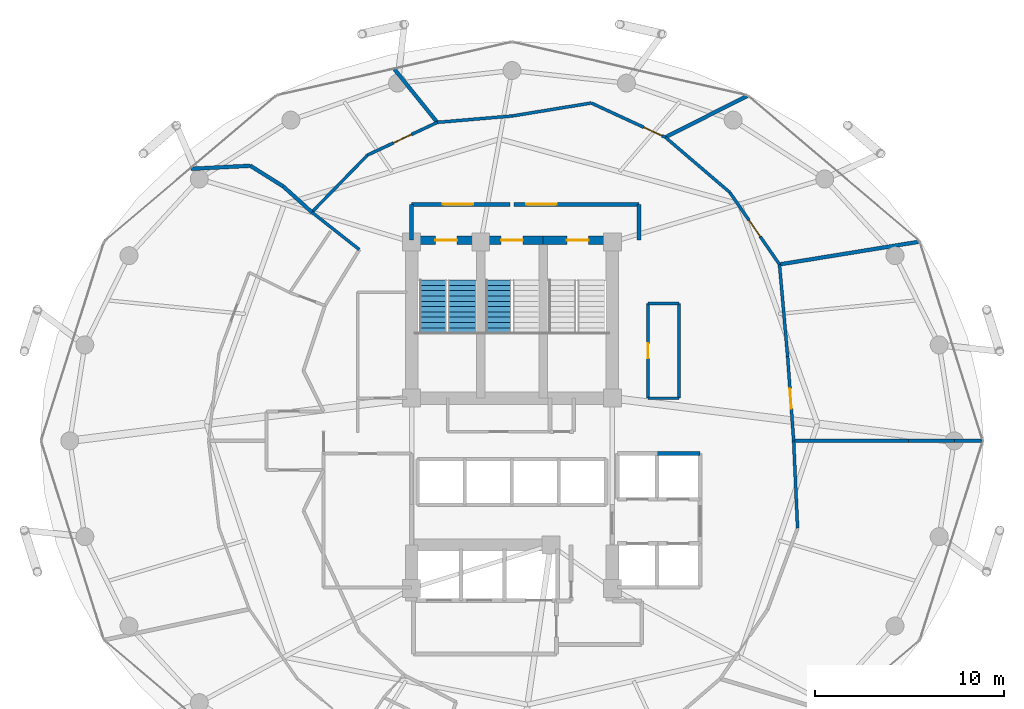
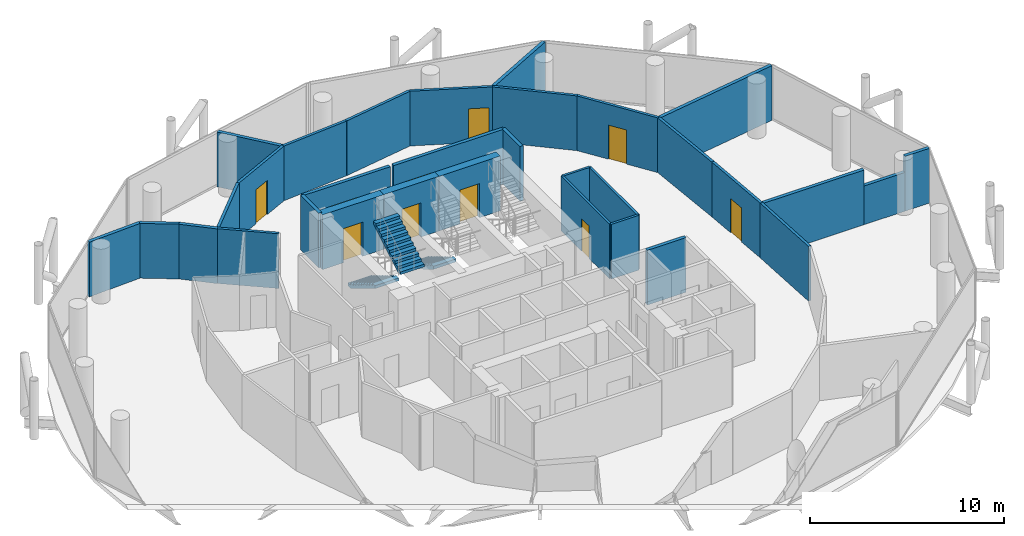
# One storey, part 24 of 26: 32 walls, 10 doors, 3 stair flights, 10 openings, 2 elements without a shape of their own.
"""IFC4 building model written with IfcOpenShell, lengths in metres."""

import ifcopenshell
import ifcopenshell.guid

model = None  # the IFC model being written
_history = None  # IfcOwnerHistory: only IFC2X3 demands one
_inside = {}  # id of a spatial element -> (the spatial element, [elements in it])
_under = {}  # id of a project, library or spatial element -> (it, [spatial elements below it])
_declared = {}  # id of a project -> (the project, [libraries it declares])
_typed = {}  # id of a type object -> (the type object, [elements of that type])
_made_of = {}  # id of a material, layer set ... -> (it, [elements and type objects made of it])


def new_model(schema):
    """Start an empty IFC model of exactly this schema.

    Asked for "IFC4X3", IfcOpenShell would pick the latest addendum, in which some entities
    have other attributes; the version numbers below select the first issue.
    IFC2X3 requires an IfcOwnerHistory on every rooted entity: one is made here for all.
    """
    global model, _history
    if schema == "IFC4X3":
        model = ifcopenshell.file(schema_version=(4, 3, 0, 0))
    else:
        model = ifcopenshell.file(schema=schema)
    _inside.clear()
    _under.clear()
    _declared.clear()
    _typed.clear()
    _made_of.clear()
    _history = None
    if model.schema == "IFC2X3":
        org = make("IfcOrganization", Name="unknown")
        user = make(
            "IfcPersonAndOrganization",
            ThePerson=make("IfcPerson", FamilyName="unknown"),
            TheOrganization=org,
        )
        app = make(
            "IfcApplication",
            ApplicationDeveloper=org,
            Version="unknown",
            ApplicationFullName="unknown",
            ApplicationIdentifier="unknown",
        )
        _history = make(
            "IfcOwnerHistory",
            OwningUser=user,
            OwningApplication=app,
            ChangeAction="ADDED",
            CreationDate=0,
        )
    return model


def make(cls, **values):
    """One entity of the class cls with the attributes given. An attribute that is None is left unset."""
    return model.create_entity(
        cls, **{name: value for name, value in values.items() if value is not None}
    )


def rooted(cls, **values):
    """An entity with a GlobalId (a new one), such as an element, a storey or a relation."""
    return make(cls, GlobalId=ifcopenshell.guid.new(), OwnerHistory=_history, **values)


def si_unit(unit_type, name, prefix=None):
    """IfcSIUnit, for example si_unit("LENGTHUNIT", "METRE", prefix="MILLI")."""
    return make("IfcSIUnit", UnitType=unit_type, Prefix=prefix, Name=name)


def assignment(units):
    """IfcUnitAssignment: the units of a project."""
    return None if units is None else make("IfcUnitAssignment", Units=units)


def point(xyz):
    """IfcCartesianPoint."""
    return None if xyz is None else make("IfcCartesianPoint", Coordinates=xyz)


def direction(xyz):
    """IfcDirection."""
    return None if xyz is None else make("IfcDirection", DirectionRatios=xyz)


def frame(location, z_axis=None, x_axis=None):
    """IfcAxis2Placement3D, a coordinate frame: its origin and axes. An axis left out is left unset."""
    return make(
        "IfcAxis2Placement3D",
        Location=point(location),
        Axis=direction(z_axis),
        RefDirection=direction(x_axis),
    )


def frame_2d(location, x_axis=None):
    """IfcAxis2Placement2D, a coordinate frame in the plane: its origin and x axis."""
    return make(
        "IfcAxis2Placement2D", Location=point(location), RefDirection=direction(x_axis)
    )


def origin():
    """The frame at (0, 0, 0) with its axes left unset."""
    return frame((0.0, 0.0, 0.0))


def place(relative_to, where):
    """IfcLocalPlacement: puts the frame where relative to a parent placement (None: the world)."""
    return make(
        "IfcLocalPlacement", PlacementRelTo=relative_to, RelativePlacement=where
    )


def context(
    kind, dimensions, precision=None, world=None, true_north=None, identifier=None
):
    """IfcGeometricRepresentationContext, for example the 3D "Model" context."""
    return make(
        "IfcGeometricRepresentationContext",
        ContextIdentifier=identifier,
        ContextType=kind,
        CoordinateSpaceDimension=dimensions,
        Precision=precision,
        WorldCoordinateSystem=world,
        TrueNorth=true_north,
    )


def subcontext(parent, identifier, kind, view, scale=None):
    """IfcGeometricRepresentationSubContext, for example "Body" below "Model"."""
    return make(
        "IfcGeometricRepresentationSubContext",
        ContextIdentifier=identifier,
        ContextType=kind,
        ParentContext=parent,
        TargetScale=scale,
        TargetView=view,
    )


def project(units=None, contexts=None):
    """IfcProject with its units and contexts."""
    return rooted(
        "IfcProject",
        Name="project",
        RepresentationContexts=contexts,
        UnitsInContext=assignment(units),
    )


def spatial(cls, under=None, at=None, **own):
    """A site, building, storey or space (cls), placed at a placement, below another one or the project."""
    s = rooted(cls, ObjectPlacement=at, **own)
    if under is not None:
        _under.setdefault(under.id(), (under, []))[1].append(s)
    return s


def polyline(points):
    """IfcPolyline through the points."""
    return make("IfcPolyline", Points=[point(p) for p in points])


def profile(cls, at=None, kind="AREA", **sizes):
    """A parametric profile (cls). Its sizes go by their IFC names, for example OverallWidth=200.0."""
    return make(cls, ProfileType=kind, Position=at, **sizes)


def rectangle(**sizes):
    """IfcRectangleProfileDef."""
    return profile("IfcRectangleProfileDef", **sizes)


def outline(outer, holes=None, kind="AREA"):
    """IfcArbitraryClosedProfileDef: a profile drawn as a closed curve; with holes, ...WithVoids."""
    if holes is None:
        return make("IfcArbitraryClosedProfileDef", ProfileType=kind, OuterCurve=outer)
    return make(
        "IfcArbitraryProfileDefWithVoids",
        ProfileType=kind,
        OuterCurve=outer,
        InnerCurves=holes,
    )


def extrude(swept, where, along, depth):
    """IfcExtrudedAreaSolid: the profile swept, set in the frame where, extruded along a direction by depth."""
    return make(
        "IfcExtrudedAreaSolid",
        SweptArea=swept,
        Position=where,
        ExtrudedDirection=direction(along),
        Depth=depth,
    )


def shape(context_of_items, identifier, shape_type, items):
    """IfcShapeRepresentation: the items that make up one representation, for example the "Body"."""
    return make(
        "IfcShapeRepresentation",
        ContextOfItems=context_of_items,
        RepresentationIdentifier=identifier,
        RepresentationType=shape_type,
        Items=items,
    )


def material(Name=None, Category=None):
    """IfcMaterial."""
    return make("IfcMaterial", Name=Name, Category=Category)


def layer(
    of_material, thickness, ventilated=None, Name=None, Category=None, Priority=None
):
    """IfcMaterialLayer: one layer of a wall or slab, of a material (None: an air gap)."""
    return make(
        "IfcMaterialLayer",
        Material=of_material,
        LayerThickness=thickness,
        IsVentilated=ventilated,
        Name=Name,
        Category=Category,
        Priority=Priority,
    )


def layer_set(layers, Name=None):
    """IfcMaterialLayerSet."""
    return make("IfcMaterialLayerSet", MaterialLayers=layers, LayerSetName=Name)


def made_of(thing, what):
    """Note that an element or type object is made of a material, layer set ...; save() writes the relation."""
    if what is not None:
        _made_of.setdefault(what.id(), (what, []))[1].append(thing)
    return thing


def type_object(cls, material=None, **own):
    """A type object (cls), such as IfcWallType, which elements share."""
    return made_of(rooted(cls, **own), material)


def element(
    cls,
    number,
    at=None,
    inside=None,
    cuts=None,
    type_object=None,
    material=None,
    context=None,
    identifier="Body",
    shape_type=None,
    held_by="IfcProductDefinitionShape",
    body=None,
    shapes=None,
    **own,
):
    """One element of the class cls, such as IfcWall. Its Tag is "e" and its number.

    at: its placement. inside: the storey or other place that contains it. cuts: it is an
    opening in that element (IfcRelVoidsElement). A single representation is given by context,
    identifier, shape_type and body (its items); several are given by shapes. held_by: the class
    of the entity that holds the representations. save() writes the other relations.
    """
    e = rooted(cls, Tag="e%d" % number, ObjectPlacement=at, **own)
    if body is not None:
        shapes = [shape(context, identifier, shape_type, body)]
    if shapes is not None:
        e.Representation = make(held_by, Representations=shapes)
    if inside is not None:
        _inside.setdefault(inside.id(), (inside, []))[1].append(e)
    if cuts is not None:
        rooted(
            "IfcRelVoidsElement", RelatingBuildingElement=cuts, RelatedOpeningElement=e
        )
    if type_object is not None:
        _typed.setdefault(type_object.id(), (type_object, []))[1].append(e)
    return made_of(e, material)


def fill(opening, filler):
    """IfcRelFillsElement: the door or window that sits in an opening."""
    return rooted(
        "IfcRelFillsElement",
        RelatingOpeningElement=opening,
        RelatedBuildingElement=filler,
    )


def aggregate(whole, parts):
    """IfcRelAggregates: a whole, such as a stair, and the parts it consists of."""
    return rooted("IfcRelAggregates", RelatingObject=whole, RelatedObjects=parts)


def save(model, path):
    """Write the relations noted so far, then the file.

    IfcRelAggregates (storeys below a building ...), IfcRelContainedInSpatialStructure (elements
    in a storey), IfcRelDefinesByType, IfcRelAssociatesMaterial and IfcRelDeclares: one each for
    every whole, place, type object, material and project.
    """
    for whole, parts in _under.values():
        aggregate(whole, parts)
    for where, things in _inside.values():
        rooted(
            "IfcRelContainedInSpatialStructure",
            RelatedElements=things,
            RelatingStructure=where,
        )
    for kind, things in _typed.values():
        rooted("IfcRelDefinesByType", RelatedObjects=things, RelatingType=kind)
    for what, things in _made_of.values():
        rooted("IfcRelAssociatesMaterial", RelatedObjects=things, RelatingMaterial=what)
    for by, libraries in _declared.values():
        rooted("IfcRelDeclares", RelatingContext=by, RelatedDefinitions=libraries)
    model.write(path)


model = new_model("IFC4")

# Units and contexts
model_context = context("Model", 3, precision=1e-05, world=origin(), true_north=direction((0.0, 1.0)))
body_context = subcontext(model_context, "Body", "Model", "MODEL_VIEW")
ifc_project = project(units=[si_unit("LENGTHUNIT", "METRE"), si_unit("AREAUNIT", "SQUARE_METRE"), si_unit("VOLUMEUNIT", "CUBIC_METRE"), si_unit("PLANEANGLEUNIT", "RADIAN"), si_unit("MASSUNIT", "GRAM", prefix="KILO")], contexts=[model_context])

# Site, building, storey
site_placement = place(None, origin())
site = spatial("IfcSite", under=ifc_project, at=site_placement, CompositionType="ELEMENT")
building_placement = place(site_placement, origin())
building = spatial("IfcBuilding", under=site, at=building_placement, Name="Nuhasar Tower", CompositionType="ELEMENT")
storey_placement = place(building_placement, frame((0.0, 0.0, 188.550048828125)))
storey = spatial("IfcBuildingStorey", under=building, at=storey_placement, Name="L46", CompositionType="ELEMENT", Elevation=188.550048828125)

# Wall, opening, door
ifc_material_1 = material(Name="Concrete C50/60", Category="concrete")
ifc_layer_1 = layer(ifc_material_1, 0.449951171875)
ifc_layer_set_1 = layer_set([ifc_layer_1], Name="Concrete C50/60")
wall_type_1 = type_object("IfcWallType", Name="WL-CORE-450", PredefinedType="SHEAR", material=ifc_layer_set_1)
wall_1_placement = place(storey_placement, frame((37.35009765625, 37.39990234375, 0.0), z_axis=(0.0, 0.0, 1.0), x_axis=(-1.0, 0.0, 0.0)))
wall_1 = element("IfcWall", 1, at=wall_1_placement, inside=storey, type_object=wall_type_1, Name="L46 Stairwell Shear Wall ST01-N", PredefinedType="SHEAR", context=body_context, shape_type="SweptSolid", body=[
    extrude(rectangle(XDim=3.650146484375, YDim=0.449951171875, at=frame_2d((1.8251953125, 0.0))), origin(), (0.0, 0.0, 1.0), 3.449951171875),
])
opening_1_placement = place(wall_1_placement, frame((1.25, 0.0, 0.0)))
opening_1 = element("IfcOpeningElement", 2, at=opening_1_placement, cuts=wall_1, Name="Opening DS-01", PredefinedType="OPENING", context=body_context, shape_type="SweptSolid", body=[
    extrude(rectangle(XDim=1.14990234375, YDim=2.14990234375, at=frame_2d((0.574951171875, 1.074951171875))), frame((0.0, 0.23486328125, 0.0), z_axis=(0.0, -1.0, 0.0), x_axis=(1.0, 0.0, 0.0)), (0.0, 0.0, 1.0), 0.469970703125),
])
ifc_material_2 = material(Name="Steel S355", Category="steel")
door_type_1 = type_object("IfcDoorType", Name="DR-STAIR-FD120-1150", OperationType="NOTDEFINED", PredefinedType="DOOR", material=ifc_material_2)
door_1_placement = place(opening_1_placement, origin())
door_1 = element("IfcDoor", 3, at=door_1_placement, inside=storey, type_object=door_type_1, Name="L46 Exit Stair ST-01 Door", OperationType="SINGLE_SWING_RIGHT", OverallHeight=2.14990234375, OverallWidth=1.14990234375, PredefinedType="DOOR", context=body_context, shape_type="SweptSolid", body=[
    extrude(rectangle(XDim=1.14990234375, YDim=2.14990234375, at=frame_2d((0.574951171875, 1.074951171875))), frame((0.0, 0.02490234375, 0.0), z_axis=(0.0, -1.0, 0.0), x_axis=(1.0, 0.0, 0.0)), (0.0, 0.0, 1.0), 0.050048828125),
])
fill(opening_1, door_1)

wall_2_placement = place(storey_placement, frame((40.64990234375, 37.39990234375, 0.0), z_axis=(0.0, 0.0, 1.0), x_axis=(-1.0, 0.0, 0.0)))
wall_2 = element("IfcWall", 4, at=wall_2_placement, inside=storey, type_object=wall_type_1, Name="L46 Stairwell Shear Wall ST03-N", PredefinedType="SHEAR", context=body_context, shape_type="SweptSolid", body=[
    extrude(rectangle(XDim=3.2998046875, YDim=0.449951171875, at=frame_2d((1.64990234375, 0.0))), origin(), (0.0, 0.0, 1.0), 3.449951171875),
])
opening_2_placement = place(wall_2_placement, frame((1.074951171875, 0.0, 0.0)))
opening_2 = element("IfcOpeningElement", 5, at=opening_2_placement, cuts=wall_2, Name="Opening DS-01", PredefinedType="OPENING", context=body_context, shape_type="SweptSolid", body=[
    extrude(rectangle(XDim=1.14990234375, YDim=2.14990234375, at=frame_2d((0.574951171875, 1.074951171875))), frame((0.0, 0.23486328125, 0.0), z_axis=(0.0, -1.0, 0.0), x_axis=(1.0, 0.0, 0.0)), (0.0, 0.0, 1.0), 0.469970703125),
])
door_2_placement = place(opening_2_placement, origin())
door_2 = element("IfcDoor", 6, at=door_2_placement, inside=storey, type_object=door_type_1, Name="L46 Exit Stair ST-03 Door", OperationType="SINGLE_SWING_RIGHT", OverallHeight=2.14990234375, OverallWidth=1.14990234375, PredefinedType="DOOR", context=body_context, shape_type="SweptSolid", body=[
    extrude(rectangle(XDim=1.14990234375, YDim=2.14990234375, at=frame_2d((0.574951171875, 1.074951171875))), frame((0.0, 0.02490234375, 0.0), z_axis=(0.0, -1.0, 0.0), x_axis=(1.0, 0.0, 0.0)), (0.0, 0.0, 1.0), 0.050048828125),
])
fill(opening_2, door_2)

wall_3_placement = place(storey_placement, frame((44.300048828125, 37.39990234375, 0.0), z_axis=(0.0, 0.0, 1.0), x_axis=(-1.0, 0.0, 0.0)))
wall_3 = element("IfcWall", 7, at=wall_3_placement, inside=storey, type_object=wall_type_1, Name="L46 Stairwell Shear Wall ST02-N", PredefinedType="SHEAR", context=body_context, shape_type="SweptSolid", body=[
    extrude(rectangle(XDim=3.650146484375, YDim=0.449951171875, at=frame_2d((1.8251953125, 0.0))), origin(), (0.0, 0.0, 1.0), 3.449951171875),
])
opening_3_placement = place(wall_3_placement, frame((1.25, 0.0, 0.0)))
opening_3 = element("IfcOpeningElement", 8, at=opening_3_placement, cuts=wall_3, Name="Opening DS-01", PredefinedType="OPENING", context=body_context, shape_type="SweptSolid", body=[
    extrude(rectangle(XDim=1.14990234375, YDim=2.14990234375, at=frame_2d((0.574951171875, 1.074951171875))), frame((0.0, 0.23486328125, 0.0), z_axis=(0.0, -1.0, 0.0), x_axis=(1.0, 0.0, 0.0)), (0.0, 0.0, 1.0), 0.469970703125),
])
door_3_placement = place(opening_3_placement, origin())
door_3 = element("IfcDoor", 9, at=door_3_placement, inside=storey, type_object=door_type_1, Name="L46 Exit Stair ST-02 Door", OperationType="SINGLE_SWING_LEFT", OverallHeight=2.14990234375, OverallWidth=1.14990234375, PredefinedType="DOOR", context=body_context, shape_type="SweptSolid", body=[
    extrude(rectangle(XDim=1.14990234375, YDim=2.14990234375, at=frame_2d((0.574951171875, 1.074951171875))), frame((0.0, 0.02490234375, 0.0), z_axis=(0.0, -1.0, 0.0), x_axis=(1.0, 0.0, 0.0)), (0.0, 0.0, 1.0), 0.050048828125),
])
fill(opening_3, door_3)

# Wall
ifc_material_3 = material(Name="Gypsum Board", Category="gypsum")
ifc_layer_2 = layer(ifc_material_3, 0.159912109375)
ifc_layer_set_2 = layer_set([ifc_layer_2], Name="Gypsum Board")
wall_type_2 = type_object("IfcWallType", Name="WL-CORR-160", PredefinedType="PARTITIONING", material=ifc_layer_set_2)
wall_4_placement = place(storey_placement, frame((54.077880859375, 22.18505859375, 0.0), z_axis=(0.0, 0.0, 1.0), x_axis=(-0.044973757158, 0.998988168682, 0.0)))
element("IfcWall", 10, at=wall_4_placement, inside=storey, type_object=wall_type_2, Name="L46 Interior Partition CORR-46", PredefinedType="PARTITIONING", context=body_context, shape_type="SweptSolid", body=[
    extrude(rectangle(XDim=4.61962890625, YDim=0.159912109375, at=frame_2d((2.309814453125, 0.0))), origin(), (0.0, 0.0, 1.0), 3.449951171875),
])

# Wall, opening, door
wall_5_placement = place(storey_placement, frame((53.552001953125, 31.25390625, 0.0), z_axis=(0.0, 0.0, 1.0), x_axis=(0.071243164365, -0.997458977368, 0.0)))
wall_5 = element("IfcWall", 11, at=wall_5_placement, inside=storey, type_object=wall_type_2, Name="L46 Interior Partition CORR-00", PredefinedType="PARTITIONING", context=body_context, shape_type="SweptSolid", body=[
    extrude(rectangle(XDim=4.465087890625, YDim=0.159912109375, at=frame_2d((2.232421875, 0.0))), origin(), (0.0, 0.0, 1.0), 3.449951171875),
])
opening_4_placement = place(wall_5_placement, frame((1.7080078125, 0.0, 0.0)))
opening_4 = element("IfcOpeningElement", 12, at=opening_4_placement, cuts=wall_5, Name="Opening DU-01", PredefinedType="OPENING", context=body_context, shape_type="SweptSolid", body=[
    extrude(rectangle(XDim=1.050048828125, YDim=2.14990234375, at=frame_2d((0.52490234375, 1.074951171875))), frame((0.0, 0.08984375, 0.0), z_axis=(0.0, -1.0, 0.0), x_axis=(1.0, 0.0, 0.0)), (0.0, 0.0, 1.0), 0.179931640625),
])
ifc_material_4 = material(Name="Timber Oak", Category="wood")
door_type_2 = type_object("IfcDoorType", Name="DR-SUITE-FD60-1050", OperationType="NOTDEFINED", PredefinedType="DOOR", material=ifc_material_4)
door_4_placement = place(opening_4_placement, origin())
door_4 = element("IfcDoor", 13, at=door_4_placement, inside=storey, type_object=door_type_2, Name="L46 Royal Summit Conference Room 1 Entrance Door", OperationType="SINGLE_SWING_LEFT", OverallHeight=2.14990234375, OverallWidth=1.050048828125, PredefinedType="DOOR", context=body_context, shape_type="SweptSolid", body=[
    extrude(rectangle(XDim=1.050048828125, YDim=2.14990234375, at=frame_2d((0.52490234375, 1.074951171875))), frame((0.0, 0.02490234375, 0.0), z_axis=(0.0, -1.0, 0.0), x_axis=(1.0, 0.0, 0.0)), (0.0, 0.0, 1.0), 0.050048828125),
])
fill(opening_4, door_4)

# Wall
wall_6_placement = place(storey_placement, frame((53.552001953125, 31.25390625, 0.0), z_axis=(0.0, 0.0, 1.0), x_axis=(-0.088134812175, 0.996108555772, 0.0)))
element("IfcWall", 14, at=wall_6_placement, inside=storey, type_object=wall_type_2, Name="L46 Interior Partition CORR-02", PredefinedType="PARTITIONING", context=body_context, shape_type="SweptSolid", body=[
    extrude(rectangle(XDim=4.878173828125, YDim=0.159912109375, at=frame_2d((2.43896484375, 0.0))), origin(), (0.0, 0.0, 1.0), 3.449951171875),
])

# Wall, opening, door
wall_7_placement = place(storey_placement, frame((50.490966796875, 39.926025390625, 0.0), z_axis=(0.0, 0.0, 1.0), x_axis=(0.567945986758, -0.823065827334, 0.0)))
wall_7 = element("IfcWall", 15, at=wall_7_placement, inside=storey, type_object=wall_type_2, Name="L46 Interior Partition CORR-04", PredefinedType="PARTITIONING", context=body_context, shape_type="SweptSolid", body=[
    extrude(rectangle(XDim=4.632568359375, YDim=0.159912109375, at=frame_2d((2.31640625, 0.0))), origin(), (0.0, 0.0, 1.0), 3.449951171875),
])
opening_5_placement = place(wall_7_placement, frame((1.791015625, 0.0, 0.0)))
opening_5 = element("IfcOpeningElement", 16, at=opening_5_placement, cuts=wall_7, Name="Opening DU-01", PredefinedType="OPENING", context=body_context, shape_type="SweptSolid", body=[
    extrude(rectangle(XDim=1.050048828125, YDim=2.14990234375, at=frame_2d((0.52490234375, 1.074951171875))), frame((0.0, 0.08984375, 0.0), z_axis=(0.0, -1.0, 0.0), x_axis=(1.0, 0.0, 0.0)), (0.0, 0.0, 1.0), 0.179931640625),
])
door_5_placement = place(opening_5_placement, origin())
door_5 = element("IfcDoor", 17, at=door_5_placement, inside=storey, type_object=door_type_2, Name="L46 Royal Council Boardroom 2 Entrance Door", OperationType="SINGLE_SWING_LEFT", OverallHeight=2.14990234375, OverallWidth=1.050048828125, PredefinedType="DOOR", context=body_context, shape_type="SweptSolid", body=[
    extrude(rectangle(XDim=1.050048828125, YDim=2.14990234375, at=frame_2d((0.52490234375, 1.074951171875))), frame((0.0, 0.02490234375, 0.0), z_axis=(0.0, -1.0, 0.0), x_axis=(1.0, 0.0, 0.0)), (0.0, 0.0, 1.0), 0.050048828125),
])
fill(opening_5, door_5)

# Wall
wall_8_placement = place(storey_placement, frame((50.490966796875, 39.926025390625, 0.0), z_axis=(0.0, 0.0, 1.0), x_axis=(-0.760182801929, 0.64970924855, 0.0)))
element("IfcWall", 18, at=wall_8_placement, inside=storey, type_object=wall_type_2, Name="L46 Interior Partition CORR-06", PredefinedType="PARTITIONING", context=body_context, shape_type="SweptSolid", body=[
    extrude(rectangle(XDim=4.4619140625, YDim=0.159912109375, at=frame_2d((2.23095703125, 0.0))), origin(), (0.0, 0.0, 1.0), 3.449951171875),
])

# Wall, opening, door
wall_9_placement = place(storey_placement, frame((43.18408203125, 44.635009765625, 0.0), z_axis=(0.0, 0.0, 1.0), x_axis=(0.907684181703, -0.41965393634, 0.0)))
wall_9 = element("IfcWall", 19, at=wall_9_placement, inside=storey, type_object=wall_type_2, Name="L46 Interior Partition CORR-08", PredefinedType="PARTITIONING", context=body_context, shape_type="SweptSolid", body=[
    extrude(rectangle(XDim=4.313232421875, YDim=0.159912109375, at=frame_2d((2.15673828125, 0.0))), origin(), (0.0, 0.0, 1.0), 3.449951171875),
])
opening_6_placement = place(wall_9_placement, frame((3.06298828125, 0.0, 0.0)))
opening_6 = element("IfcOpeningElement", 20, at=opening_6_placement, cuts=wall_9, Name="Opening DU-01", PredefinedType="OPENING", context=body_context, shape_type="SweptSolid", body=[
    extrude(rectangle(XDim=1.050048828125, YDim=2.14990234375, at=frame_2d((0.52490234375, 1.074951171875))), frame((0.0, 0.08984375, 0.0), z_axis=(0.0, -1.0, 0.0), x_axis=(1.0, 0.0, 0.0)), (0.0, 0.0, 1.0), 0.179931640625),
])
door_6_placement = place(opening_6_placement, origin())
door_6 = element("IfcDoor", 21, at=door_6_placement, inside=storey, type_object=door_type_2, Name="L46 Royal Private Banquet Kitchen Entrance Door", OperationType="SINGLE_SWING_RIGHT", OverallHeight=2.14990234375, OverallWidth=1.050048828125, PredefinedType="DOOR", context=body_context, shape_type="SweptSolid", body=[
    extrude(rectangle(XDim=1.050048828125, YDim=2.14990234375, at=frame_2d((0.52490234375, 1.074951171875))), frame((0.0, 0.02490234375, 0.0), z_axis=(0.0, -1.0, 0.0), x_axis=(1.0, 0.0, 0.0)), (0.0, 0.0, 1.0), 0.050048828125),
])
fill(opening_6, door_6)

# Walls
wall_10_placement = place(storey_placement, frame((43.18408203125, 44.635009765625, 0.0), z_axis=(0.0, 0.0, 1.0), x_axis=(-0.986859895673, -0.161578297774, 0.0)))
element("IfcWall", 22, at=wall_10_placement, inside=storey, type_object=wall_type_2, Name="L46 Interior Partition CORR-10", PredefinedType="PARTITIONING", context=body_context, shape_type="SweptSolid", body=[
    extrude(rectangle(XDim=4.23974609375, YDim=0.159912109375, at=frame_2d((2.119873046875, 0.0))), origin(), (0.0, 0.0, 1.0), 3.449951171875),
])
wall_11_placement = place(storey_placement, frame((39.0, 43.949951171875, 0.0), z_axis=(0.0, 0.0, 1.0), x_axis=(-0.996371347496, -0.085112501365, 0.0)))
element("IfcWall", 23, at=wall_11_placement, inside=storey, type_object=wall_type_2, Name="L46 Interior Partition CORR-12", PredefinedType="PARTITIONING", context=body_context, shape_type="SweptSolid", body=[
    extrude(rectangle(XDim=3.95849609375, YDim=0.159912109375, at=frame_2d((1.979248046875, 0.0))), origin(), (0.0, 0.0, 1.0), 3.449951171875),
])

# Wall, opening, door
wall_12_placement = place(storey_placement, frame((31.3740234375, 41.887939453125, 0.0), z_axis=(0.0, 0.0, 1.0), x_axis=(0.905533196688, 0.424275417266, 0.0)))
wall_12 = element("IfcWall", 24, at=wall_12_placement, inside=storey, type_object=wall_type_2, Name="L46 Interior Partition CORR-14", PredefinedType="PARTITIONING", context=body_context, shape_type="SweptSolid", body=[
    extrude(rectangle(XDim=4.06591796875, YDim=0.159912109375, at=frame_2d((2.032958984375, 0.0))), origin(), (0.0, 0.0, 1.0), 3.449951171875),
])
opening_7_placement = place(wall_12_placement, frame((1.508056640625, 0.0, 0.0)))
opening_7 = element("IfcOpeningElement", 25, at=opening_7_placement, cuts=wall_12, Name="Opening DU-01", PredefinedType="OPENING", context=body_context, shape_type="SweptSolid", body=[
    extrude(rectangle(XDim=1.050048828125, YDim=2.14990234375, at=frame_2d((0.52490234375, 1.074951171875))), frame((0.0, 0.08984375, 0.0), z_axis=(0.0, -1.0, 0.0), x_axis=(1.0, 0.0, 0.0)), (0.0, 0.0, 1.0), 0.179931640625),
])
door_7_placement = place(opening_7_placement, origin())
door_7 = element("IfcDoor", 26, at=door_7_placement, inside=storey, type_object=door_type_2, Name="L46 Royal Protocol Office Entrance Door", OperationType="SINGLE_SWING_RIGHT", OverallHeight=2.14990234375, OverallWidth=1.050048828125, PredefinedType="DOOR", context=body_context, shape_type="SweptSolid", body=[
    extrude(rectangle(XDim=1.050048828125, YDim=2.14990234375, at=frame_2d((0.52490234375, 1.074951171875))), frame((0.0, 0.02490234375, 0.0), z_axis=(0.0, -1.0, 0.0), x_axis=(1.0, 0.0, 0.0)), (0.0, 0.0, 1.0), 0.050048828125),
])
fill(opening_7, door_7)

# Walls
wall_13_placement = place(storey_placement, frame((31.3740234375, 41.887939453125, 0.0), z_axis=(0.0, 0.0, 1.0), x_axis=(-0.698421583202, -0.715686587913, 0.0)))
element("IfcWall", 27, at=wall_13_placement, inside=storey, type_object=wall_type_2, Name="L46 Interior Partition CORR-16", PredefinedType="PARTITIONING", context=body_context, shape_type="SweptSolid", body=[
    extrude(rectangle(XDim=4.2138671875, YDim=0.159912109375, at=frame_2d((2.10693359375, 0.0))), origin(), (0.0, 0.0, 1.0), 3.449951171875),
])
wall_14_placement = place(storey_placement, frame((30.93896484375, 36.89697265625, 0.0), z_axis=(0.0, 0.0, 1.0), x_axis=(-0.785635850026, 0.618689187843, 0.0)))
element("IfcWall", 28, at=wall_14_placement, inside=storey, type_object=wall_type_2, Name="L46 Interior Partition HRAD-18-IN", PredefinedType="PARTITIONING", context=body_context, shape_type="SweptSolid", body=[
    extrude(rectangle(XDim=3.1923828125, YDim=0.159912109375, at=frame_2d((1.59619140625, 0.0))), origin(), (0.0, 0.0, 1.0), 3.449951171875),
])
ifc_material_5 = material(Name="Concrete C45/55", Category="concrete")
ifc_layer_3 = layer(ifc_material_5, 0.199951171875)
ifc_layer_set_3 = layer_set([ifc_layer_3], Name="Concrete C45/55")
wall_type_3 = type_object("IfcWallType", Name="WL-LOBBY-200", PredefinedType="SOLIDWALL", material=ifc_layer_set_3)
for number, where, z_axis, x_axis, name in (
    (29, (33.699951171875, 37.39990234375, 0.0), (0.0, 0.0, 1.0), (0.0, 1.0, 0.0), "L46 Interior Partition NSL-W"),
    (30, (45.699951171875, 37.39990234375, 0.0), (0.0, 0.0, 1.0), (0.0, 1.0, 0.0), "L46 Interior Partition NSL-E"),
):
    element("IfcWall", number, at=place(storey_placement, frame(where, z_axis=z_axis, x_axis=x_axis)), inside=storey, type_object=wall_type_3, Name=name, PredefinedType="SOLIDWALL", context=body_context, shape_type="SweptSolid", body=[
        extrude(rectangle(XDim=1.880126953125, YDim=0.199951171875, at=frame_2d((0.93994140625, 0.0))), origin(), (0.0, 0.0, 1.0), 3.449951171875),
    ])

# Wall, opening, door
wall_15_placement = place(storey_placement, frame((38.89990234375, 39.280029296875, 0.0), z_axis=(0.0, 0.0, 1.0), x_axis=(-1.0, 0.0, 0.0)))
wall_15 = element("IfcWall", 31, at=wall_15_placement, inside=storey, type_object=wall_type_3, Name="L46 Interior Partition NSL-N1", PredefinedType="SOLIDWALL", context=body_context, shape_type="SweptSolid", body=[
    extrude(rectangle(XDim=5.199951171875, YDim=0.199951171875, at=frame_2d((2.60009765625, 0.0))), origin(), (0.0, 0.0, 1.0), 3.449951171875),
])
opening_8_placement = place(wall_15_placement, frame((1.949951171875, 0.0, 0.0)))
opening_8 = element("IfcOpeningElement", 32, at=opening_8_placement, cuts=wall_15, Name="Opening DC-01", PredefinedType="OPENING", context=body_context, shape_type="SweptSolid", body=[
    extrude(rectangle(XDim=1.60009765625, YDim=2.199951171875, at=frame_2d((0.800048828125, 1.10009765625))), frame((0.0, 0.10986328125, 0.0), z_axis=(0.0, -1.0, 0.0), x_axis=(1.0, 0.0, 0.0)), (0.0, 0.0, 1.0), 0.219970703125),
])
door_type_3 = type_object("IfcDoorType", Name="DR-CORR-FD60-1600", OperationType="DOUBLE_DOOR_SINGLE_SWING", PredefinedType="DOOR", material=ifc_material_2)
door_8_placement = place(opening_8_placement, origin())
door_8 = element("IfcDoor", 33, at=door_8_placement, inside=storey, type_object=door_type_3, Name="L46 North Stair Lobby West Door", OperationType="DOUBLE_DOOR_SINGLE_SWING", OverallHeight=2.199951171875, OverallWidth=1.60009765625, PredefinedType="DOOR", context=body_context, shape_type="SweptSolid", body=[
    extrude(rectangle(XDim=1.60009765625, YDim=2.199951171875, at=frame_2d((0.800048828125, 1.10009765625))), frame((0.0, 0.02490234375, 0.0), z_axis=(0.0, -1.0, 0.0), x_axis=(1.0, 0.0, 0.0)), (0.0, 0.0, 1.0), 0.050048828125),
])
fill(opening_8, door_8)

wall_16_placement = place(storey_placement, frame((45.699951171875, 39.280029296875, 0.0), z_axis=(0.0, 0.0, 1.0), x_axis=(-1.0, 0.0, 0.0)))
wall_16 = element("IfcWall", 34, at=wall_16_placement, inside=storey, type_object=wall_type_3, Name="L46 Interior Partition NSL-N2", PredefinedType="SOLIDWALL", context=body_context, shape_type="SweptSolid", body=[
    extrude(rectangle(XDim=6.599853515625, YDim=0.199951171875, at=frame_2d((3.2998046875, 0.0))), origin(), (0.0, 0.0, 1.0), 3.449951171875),
])
opening_9_placement = place(wall_16_placement, frame((4.35009765625, 0.0, 0.0)))
opening_9 = element("IfcOpeningElement", 35, at=opening_9_placement, cuts=wall_16, Name="Opening DC-01", PredefinedType="OPENING", context=body_context, shape_type="SweptSolid", body=[
    extrude(rectangle(XDim=1.60009765625, YDim=2.199951171875, at=frame_2d((0.800048828125, 1.10009765625))), frame((0.0, 0.10986328125, 0.0), z_axis=(0.0, -1.0, 0.0), x_axis=(1.0, 0.0, 0.0)), (0.0, 0.0, 1.0), 0.219970703125),
])
door_9_placement = place(opening_9_placement, origin())
door_9 = element("IfcDoor", 36, at=door_9_placement, inside=storey, type_object=door_type_3, Name="L46 North Stair Lobby East Door", OperationType="DOUBLE_DOOR_SINGLE_SWING", OverallHeight=2.199951171875, OverallWidth=1.60009765625, PredefinedType="DOOR", context=body_context, shape_type="SweptSolid", body=[
    extrude(rectangle(XDim=1.60009765625, YDim=2.199951171875, at=frame_2d((0.800048828125, 1.10009765625))), frame((0.0, 0.02490234375, 0.0), z_axis=(0.0, -1.0, 0.0), x_axis=(1.0, 0.0, 0.0)), (0.0, 0.0, 1.0), 0.050048828125),
])
fill(opening_9, door_9)

# Walls
ifc_layer_4 = layer(ifc_material_5, 0.199951171875)
ifc_layer_set_4 = layer_set([ifc_layer_4], Name="Concrete C45/55")
wall_type_4 = type_object("IfcWallType", Name="WL-SHAFT-200", PredefinedType="SOLIDWALL", material=ifc_layer_set_4)
wall_17_placement = place(storey_placement, frame((46.6201171875, 26.1298828125, 0.0), z_axis=(0.0, 0.0, 1.0), x_axis=(1.0, 0.0, 0.0)))
element("IfcWall", 37, at=wall_17_placement, inside=storey, type_object=wall_type_4, Name="L46 Interior Partition SHF-PL-M02-N", PredefinedType="SOLIDWALL", context=body_context, shape_type="SweptSolid", body=[
    extrude(rectangle(XDim=2.309814453125, YDim=0.199951171875, at=frame_2d((1.15478515625, 0.0))), origin(), (0.0, 0.0, 1.0), 3.449951171875),
])
ifc_material_6 = material(Name="Concrete C40/50 precast", Category="concrete")
ifc_layer_5 = layer(ifc_material_6, 0.199951171875)
ifc_layer_set_5 = layer_set([ifc_layer_5], Name="Concrete C40/50 precast")
wall_type_5 = type_object("IfcWallType", Name="WL-UNIT-200", PredefinedType="PARTITIONING", material=ifc_layer_set_5)
wall_18_placement = place(storey_placement, frame((28.430908203125, 38.8720703125, 0.0), z_axis=(0.0, 0.0, 1.0), x_axis=(-0.742576754187, 0.669760975379, 0.0)))
element("IfcWall", 38, at=wall_18_placement, inside=storey, type_object=wall_type_5, Name="L46 Interior Partition HRAD-18-OUT-S1", PredefinedType="PARTITIONING", context=body_context, shape_type="SweptSolid", body=[
    extrude(rectangle(XDim=2.03173828125, YDim=0.199951171875, at=frame_2d((1.015869140625, 0.0))), origin(), (0.0, 0.0, 1.0), 3.449951171875),
])
wall_19_placement = place(storey_placement, frame((26.922119140625, 40.23291015625, 0.0), z_axis=(0.0, 0.0, 1.0), x_axis=(-0.847295877025, 0.53112116958, 0.0)))
element("IfcWall", 39, at=wall_19_placement, inside=storey, type_object=wall_type_5, Name="L46 Interior Partition HRAD-18-OUT-S2", PredefinedType="PARTITIONING", context=body_context, shape_type="SweptSolid", body=[
    extrude(rectangle(XDim=2.052490234375, YDim=0.199951171875, at=frame_2d((1.0263671875, 0.0))), origin(), (0.0, 0.0, 1.0), 3.449951171875),
])
wall_20_placement = place(storey_placement, frame((25.18310546875, 41.322998046875, 0.0), z_axis=(0.0, 0.0, 1.0), x_axis=(-0.9986532157, -0.051882123821, 0.0)))
element("IfcWall", 40, at=wall_20_placement, inside=storey, type_object=wall_type_5, Name="L46 Interior Partition HRAD-18-OUT-S3", PredefinedType="PARTITIONING", context=body_context, shape_type="SweptSolid", body=[
    extrude(rectangle(XDim=3.143310546875, YDim=0.199951171875, at=frame_2d((1.57177734375, 0.0))), origin(), (0.0, 0.0, 1.0), 3.449951171875),
])
wall_21_placement = place(storey_placement, frame((53.8701171875, 26.800048828125, 0.0), z_axis=(0.0, 0.0, 1.0), x_axis=(1.0, 0.0, 0.0)))
element("IfcWall", 41, at=wall_21_placement, inside=storey, type_object=wall_type_5, Name="L46 Interior Partition HRAD-00", PredefinedType="PARTITIONING", context=body_context, shape_type="SweptSolid", body=[
    extrude(rectangle(XDim=6.056884765625, YDim=0.199951171875, at=frame_2d((3.0283203125, 0.0))), origin(), (0.0, 0.0, 1.0), 3.449951171875),
])
wall_22_placement = place(storey_placement, frame((59.927001953125, 26.800048828125, 0.0), z_axis=(0.0, 0.0, 1.0), x_axis=(1.0, 0.0, 0.0)))
element("IfcWall", 42, at=wall_22_placement, inside=storey, type_object=wall_type_5, Name="L46 Interior Partition HRAD-00", PredefinedType="PARTITIONING", context=body_context, shape_type="SweptSolid", body=[
    extrude(rectangle(XDim=2.43505859375, YDim=0.199951171875, at=frame_2d((1.217529296875, 0.0))), origin(), (0.0, 0.0, 1.0), 2.43994140625),
])
wall_23_placement = place(storey_placement, frame((62.362060546875, 26.800048828125, 0.0), z_axis=(0.0, 0.0, 1.0), x_axis=(1.0, 0.0, 0.0)))
element("IfcWall", 43, at=wall_23_placement, inside=storey, type_object=wall_type_5, Name="L46 Interior Partition HRAD-00", PredefinedType="PARTITIONING", context=body_context, shape_type="SweptSolid", body=[
    extrude(rectangle(XDim=1.462890625, YDim=0.199951171875, at=frame_2d((0.7314453125, 0.0))), origin(), (0.0, 0.0, 1.0), 3.449951171875),
])
wall_24_placement = place(storey_placement, frame((53.1220703125, 36.113037109375, 0.0), z_axis=(0.0, 0.0, 1.0), x_axis=(0.987048079656, 0.160424712708, 0.0)))
element("IfcWall", 44, at=wall_24_placement, inside=storey, type_object=wall_type_5, Name="L46 Interior Partition HRAD-04", PredefinedType="PARTITIONING", context=body_context, shape_type="SweptSolid", body=[
    extrude(rectangle(XDim=7.4736328125, YDim=0.199951171875, at=frame_2d((3.73681640625, 0.0))), origin(), (0.0, 0.0, 1.0), 3.449951171875),
])
wall_25_placement = place(storey_placement, frame((47.09912109375, 42.824951171875, 0.0), z_axis=(0.0, 0.0, 1.0), x_axis=(0.892255539141, 0.451530788398, 0.0)))
element("IfcWall", 45, at=wall_25_placement, inside=storey, type_object=wall_type_5, Name="L46 Interior Partition HRAD-08", PredefinedType="PARTITIONING", context=body_context, shape_type="SweptSolid", body=[
    extrude(rectangle(XDim=4.8349609375, YDim=0.199951171875, at=frame_2d((2.41748046875, 0.0))), origin(), (0.0, 0.0, 1.0), 3.449951171875),
])
wall_26_placement = place(storey_placement, frame((35.055908203125, 43.613037109375, 0.0), z_axis=(0.0, 0.0, 1.0), x_axis=(-0.628004145017, 0.778209993409, 0.0)))
element("IfcWall", 46, at=wall_26_placement, inside=storey, type_object=wall_type_5, Name="L46 Interior Partition HRAD-14", PredefinedType="PARTITIONING", context=body_context, shape_type="SweptSolid", body=[
    extrude(rectangle(XDim=3.601806640625, YDim=0.199951171875, at=frame_2d((1.80078125, 0.0))), origin(), (0.0, 0.0, 1.0), 3.449951171875),
])

# Wall, opening, door
ifc_layer_6 = layer(ifc_material_6, 0.139892578125)
ifc_layer_set_6 = layer_set([ifc_layer_6], Name="Concrete C40/50 precast")
wall_type_6 = type_object("IfcWallType", Name="WL-WET-140", PredefinedType="PARTITIONING", material=ifc_layer_set_6)
wall_27_placement = place(storey_placement, frame((46.179931640625, 34.050048828125, 0.0), z_axis=(0.0, 0.0, 1.0), x_axis=(0.0, -1.0, 0.0)))
wall_27 = element("IfcWall", 47, at=wall_27_placement, inside=storey, type_object=wall_type_6, Name="L46 Interior Partition K3-NE-W", PredefinedType="PARTITIONING", context=body_context, shape_type="SweptSolid", body=[
    extrude(rectangle(XDim=5.0, YDim=0.139892578125, at=frame_2d((2.5, 0.0))), origin(), (0.0, 0.0, 1.0), 3.449951171875),
])
opening_10_placement = place(wall_27_placement, frame((2.10009765625, 0.0, 0.0)))
opening_10 = element("IfcOpeningElement", 48, at=opening_10_placement, cuts=wall_27, Name="Opening DM-01", PredefinedType="OPENING", context=body_context, shape_type="SweptSolid", body=[
    extrude(rectangle(XDim=0.800048828125, YDim=2.050048828125, at=frame_2d((0.39990234375, 1.02490234375))), frame((0.0, 0.080078125, 0.0), z_axis=(0.0, -1.0, 0.0), x_axis=(1.0, 0.0, 0.0)), (0.0, 0.0, 1.0), 0.159912109375),
])
door_type_4 = type_object("IfcDoorType", Name="DR-RISER-FD60-800", OperationType="NOTDEFINED", PredefinedType="DOOR", material=ifc_material_2)
door_10_placement = place(opening_10_placement, origin())
door_10 = element("IfcDoor", 49, at=door_10_placement, inside=storey, type_object=door_type_4, Name="L46 NE Switchgear Room Door", OperationType="SINGLE_SWING_RIGHT", OverallHeight=2.050048828125, OverallWidth=0.800048828125, PredefinedType="DOOR", context=body_context, shape_type="SweptSolid", body=[
    extrude(rectangle(XDim=0.800048828125, YDim=2.050048828125, at=frame_2d((0.39990234375, 1.02490234375))), frame((0.0, 0.02490234375, 0.0), z_axis=(0.0, -1.0, 0.0), x_axis=(1.0, 0.0, 0.0)), (0.0, 0.0, 1.0), 0.050048828125),
])
fill(opening_10, door_10)

# Walls
for number, where, z_axis, x_axis, name in (
    (50, (46.179931640625, 29.050048828125, 0.0), (0.0, 0.0, 1.0), (1.0, 0.0, 0.0), "L46 Interior Partition K3-NE-S"),
    (51, (46.179931640625, 34.050048828125, 0.0), (0.0, 0.0, 1.0), (1.0, 0.0, 0.0), "L46 Interior Partition K3-NE-N"),
):
    element("IfcWall", number, at=place(storey_placement, frame(where, z_axis=z_axis, x_axis=x_axis)), inside=storey, type_object=wall_type_6, Name=name, PredefinedType="PARTITIONING", context=body_context, shape_type="SweptSolid", body=[
        extrude(rectangle(XDim=1.64013671875, YDim=0.139892578125, at=frame_2d((0.820068359375, 0.0))), origin(), (0.0, 0.0, 1.0), 3.449951171875),
    ])
wall_28_placement = place(storey_placement, frame((47.820068359375, 29.050048828125, 0.0), z_axis=(0.0, 0.0, 1.0), x_axis=(0.0, 1.0, 0.0)))
element("IfcWall", 52, at=wall_28_placement, inside=storey, type_object=wall_type_6, Name="L46 Interior Partition K3-NE-E", PredefinedType="PARTITIONING", context=body_context, shape_type="SweptSolid", body=[
    extrude(rectangle(XDim=5.0, YDim=0.139892578125, at=frame_2d((2.5, 0.0))), origin(), (0.0, 0.0, 1.0), 3.449951171875),
])

# Stair, stair flights
stair_type_1 = type_object("IfcStairType", Name="STR-ST-01-2F-22R-1682", PredefinedType="HALF_TURN_STAIR", material=ifc_material_5)
stair_1_placement = place(storey_placement, origin())
stair_1 = element("IfcStair", 53, at=stair_1_placement, inside=storey, type_object=stair_type_1, Name="L46 Exit Stair ST-01", PredefinedType="HALF_TURN_STAIR")
stair_flight_type_1 = type_object("IfcStairFlightType", Name="SFL-ST-01-11R-1682", PredefinedType="STRAIGHT", material=ifc_material_5)
stair_flight_1_placement = place(storey_placement, frame((34.830078125, 35.284912109375, 0.0), z_axis=(0.0, 0.0, 1.0), x_axis=(0.0, -1.0, 0.0)))
stair_flight_1 = element("IfcStairFlight", 54, at=stair_flight_1_placement, type_object=stair_flight_type_1, Name="ST-01 flight 1", NumberOfRisers=11, NumberOfTreads=10, PredefinedType="STRAIGHT", RiserHeight=0.168182, TreadLength=0.28, context=body_context, shape_type="SweptSolid", body=[
    extrude(outline(polyline([(0.0, 0.0), (0.0, 0.168212890625), (0.280029296875, 0.168212890625), (0.280029296875, 0.33642578125), (0.56005859375, 0.33642578125), (0.56005859375, 0.504638671875), (0.840087890625, 0.504638671875), (0.840087890625, 0.672607421875), (1.1201171875, 0.672607421875), (1.1201171875, 0.8408203125), (1.39990234375, 0.8408203125), (1.39990234375, 1.009033203125), (1.679931640625, 1.009033203125), (1.679931640625, 1.17724609375), (1.9599609375, 1.17724609375), (1.9599609375, 1.345458984375), (2.239990234375, 1.345458984375), (2.239990234375, 1.513671875), (2.52001953125, 1.513671875), (2.52001953125, 1.681884765625), (2.800048828125, 1.681884765625), (2.800048828125, 1.85009765625), (2.800048828125, 1.495361328125), (0.310546875, 0.0), (0.0, 0.0)])), frame((0.0, 0.7099609375, 0.0), z_axis=(0.0, -1.0, 0.0), x_axis=(1.0, 0.0, 0.0)), (0.0, 0.0, 1.0), 1.419921875),
])
stair_flight_2_placement = place(storey_placement, frame((36.35009765625, 32.485107421875, 1.849853515625), z_axis=(0.0, 0.0, 1.0), x_axis=(0.0, 1.0, 0.0)))
stair_flight_2 = element("IfcStairFlight", 55, at=stair_flight_2_placement, type_object=stair_flight_type_1, Name="ST-01 flight 2", NumberOfRisers=11, NumberOfTreads=10, PredefinedType="STRAIGHT", RiserHeight=0.168182, TreadLength=0.28, context=body_context, shape_type="SweptSolid", body=[
    extrude(outline(polyline([(0.0, 0.0), (0.0, 0.168212890625), (0.280029296875, 0.168212890625), (0.280029296875, 0.33642578125), (0.56005859375, 0.33642578125), (0.56005859375, 0.504638671875), (0.840087890625, 0.504638671875), (0.840087890625, 0.672607421875), (1.1201171875, 0.672607421875), (1.1201171875, 0.8408203125), (1.39990234375, 0.8408203125), (1.39990234375, 1.009033203125), (1.679931640625, 1.009033203125), (1.679931640625, 1.17724609375), (1.9599609375, 1.17724609375), (1.9599609375, 1.345458984375), (2.239990234375, 1.345458984375), (2.239990234375, 1.513671875), (2.52001953125, 1.513671875), (2.52001953125, 1.681884765625), (2.800048828125, 1.681884765625), (2.800048828125, 1.85009765625), (2.800048828125, 1.495361328125), (0.310546875, 0.0), (0.0, 0.0)])), frame((0.0, 0.7099609375, 0.0), z_axis=(0.0, -1.0, 0.0), x_axis=(1.0, 0.0, 0.0)), (0.0, 0.0, 1.0), 1.419921875),
])
aggregate(stair_1, [stair_flight_1, stair_flight_2])

# Stair, stair flight
stair_type_2 = type_object("IfcStairType", Name="STR-ST-03-2F-22R-1682", PredefinedType="HALF_TURN_STAIR", material=ifc_material_5)
stair_2_placement = place(storey_placement, origin())
stair_2 = element("IfcStair", 56, at=stair_2_placement, inside=storey, type_object=stair_type_2, Name="L46 Exit Stair ST-03", PredefinedType="HALF_TURN_STAIR")
stair_flight_type_2 = type_object("IfcStairFlightType", Name="SFL-ST-03-11R-1682", PredefinedType="STRAIGHT", material=ifc_material_5)
stair_flight_3_placement = place(storey_placement, frame((38.280029296875, 35.284912109375, 0.0), z_axis=(0.0, 0.0, 1.0), x_axis=(0.0, -1.0, 0.0)))
stair_flight_3 = element("IfcStairFlight", 57, at=stair_flight_3_placement, type_object=stair_flight_type_2, Name="ST-03 flight 1", NumberOfRisers=11, NumberOfTreads=10, PredefinedType="STRAIGHT", RiserHeight=0.168182, TreadLength=0.28, context=body_context, shape_type="SweptSolid", body=[
    extrude(outline(polyline([(0.0, 0.0), (0.0, 0.168212890625), (0.280029296875, 0.168212890625), (0.280029296875, 0.33642578125), (0.56005859375, 0.33642578125), (0.56005859375, 0.504638671875), (0.840087890625, 0.504638671875), (0.840087890625, 0.672607421875), (1.1201171875, 0.672607421875), (1.1201171875, 0.8408203125), (1.39990234375, 0.8408203125), (1.39990234375, 1.009033203125), (1.679931640625, 1.009033203125), (1.679931640625, 1.17724609375), (1.9599609375, 1.17724609375), (1.9599609375, 1.345458984375), (2.239990234375, 1.345458984375), (2.239990234375, 1.513671875), (2.52001953125, 1.513671875), (2.52001953125, 1.681884765625), (2.800048828125, 1.681884765625), (2.800048828125, 1.85009765625), (2.800048828125, 1.495361328125), (0.310546875, 0.0), (0.0, 0.0)])), frame((0.0, 0.669921875, 0.0), z_axis=(0.0, -1.0, 0.0), x_axis=(1.0, 0.0, 0.0)), (0.0, 0.0, 1.0), 1.340087890625),
])
aggregate(stair_2, [stair_flight_3])

save(model, "model.ifc")
